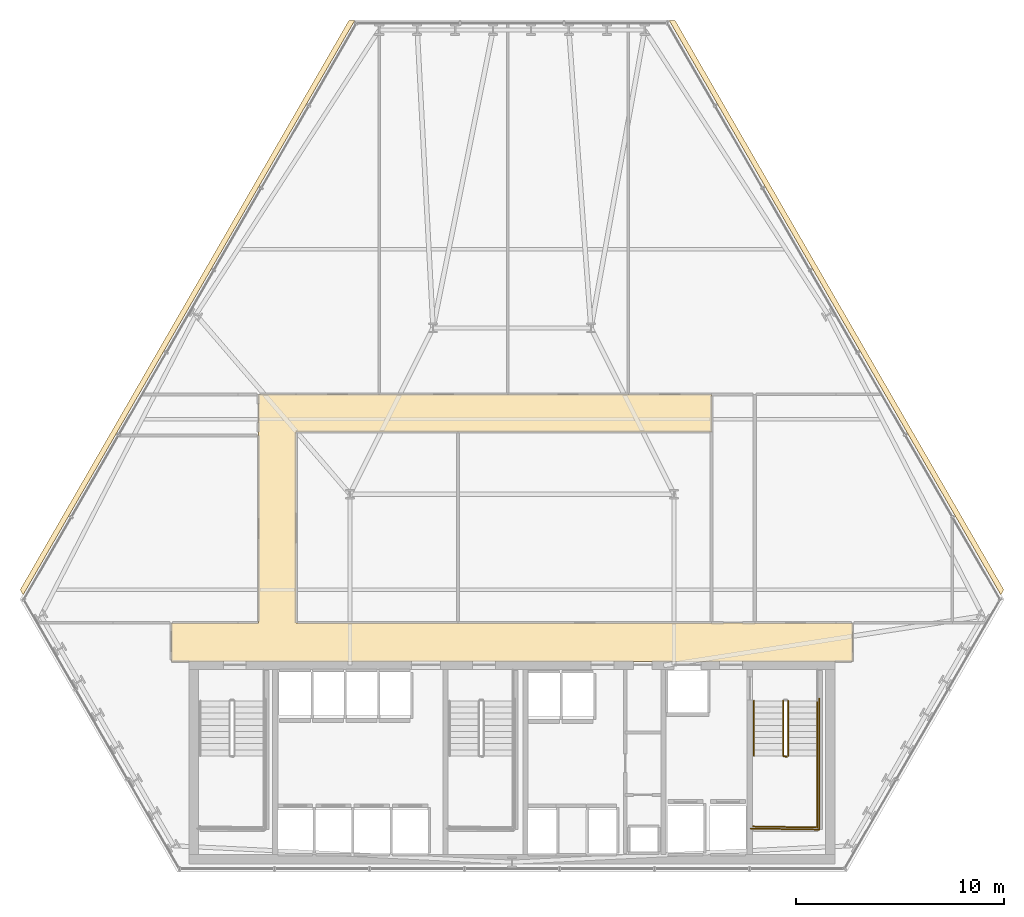
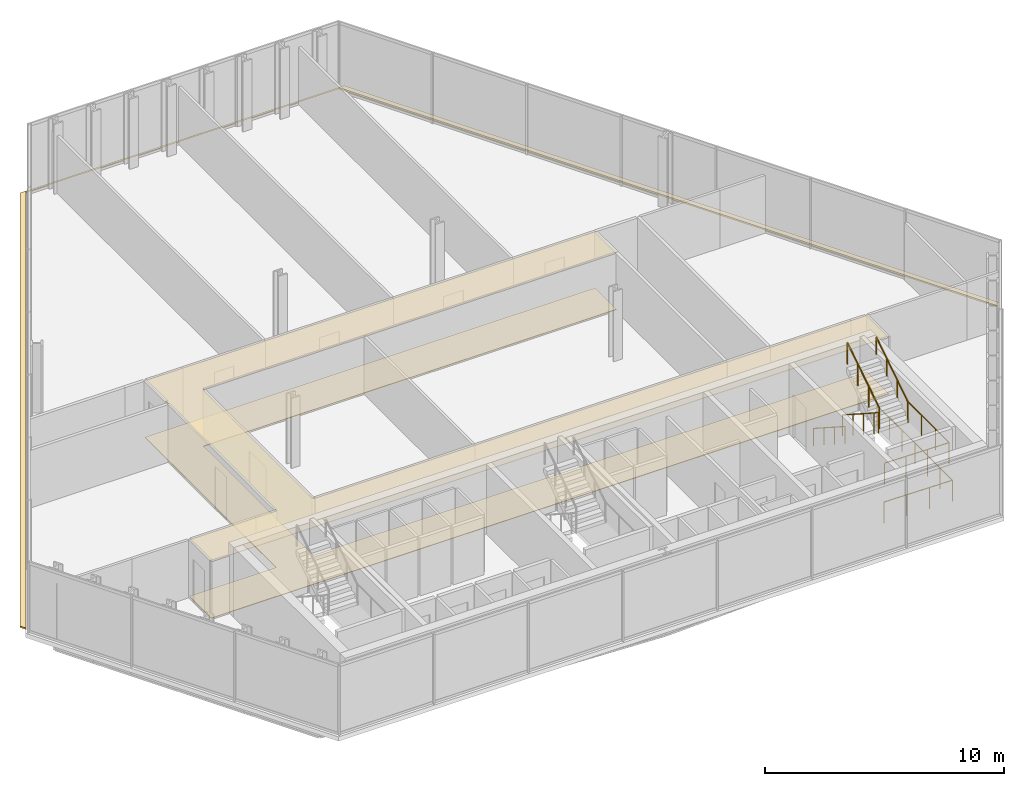
# One storey, part 31 of 32: 6 railings, 3 coverings.
"""IFC4 building model written with IfcOpenShell, lengths in metres."""

import ifcopenshell
import ifcopenshell.guid

model = None  # the IFC model being written
_history = None  # IfcOwnerHistory: only IFC2X3 demands one
_inside = {}  # id of a spatial element -> (the spatial element, [elements in it])
_under = {}  # id of a project, library or spatial element -> (it, [spatial elements below it])
_declared = {}  # id of a project -> (the project, [libraries it declares])
_typed = {}  # id of a type object -> (the type object, [elements of that type])
_made_of = {}  # id of a material, layer set ... -> (it, [elements and type objects made of it])


def new_model(schema):
    """Start an empty IFC model of exactly this schema.

    Asked for "IFC4X3", IfcOpenShell would pick the latest addendum, in which some entities
    have other attributes; the version numbers below select the first issue.
    IFC2X3 requires an IfcOwnerHistory on every rooted entity: one is made here for all.
    """
    global model, _history
    if schema == "IFC4X3":
        model = ifcopenshell.file(schema_version=(4, 3, 0, 0))
    else:
        model = ifcopenshell.file(schema=schema)
    _inside.clear()
    _under.clear()
    _declared.clear()
    _typed.clear()
    _made_of.clear()
    _history = None
    if model.schema == "IFC2X3":
        org = make("IfcOrganization", Name="unknown")
        user = make(
            "IfcPersonAndOrganization",
            ThePerson=make("IfcPerson", FamilyName="unknown"),
            TheOrganization=org,
        )
        app = make(
            "IfcApplication",
            ApplicationDeveloper=org,
            Version="unknown",
            ApplicationFullName="unknown",
            ApplicationIdentifier="unknown",
        )
        _history = make(
            "IfcOwnerHistory",
            OwningUser=user,
            OwningApplication=app,
            ChangeAction="ADDED",
            CreationDate=0,
        )
    return model


def make(cls, **values):
    """One entity of the class cls with the attributes given. An attribute that is None is left unset."""
    return model.create_entity(
        cls, **{name: value for name, value in values.items() if value is not None}
    )


def rooted(cls, **values):
    """An entity with a GlobalId (a new one), such as an element, a storey or a relation."""
    return make(cls, GlobalId=ifcopenshell.guid.new(), OwnerHistory=_history, **values)


def si_unit(unit_type, name, prefix=None):
    """IfcSIUnit, for example si_unit("LENGTHUNIT", "METRE", prefix="MILLI")."""
    return make("IfcSIUnit", UnitType=unit_type, Prefix=prefix, Name=name)


def assignment(units):
    """IfcUnitAssignment: the units of a project."""
    return None if units is None else make("IfcUnitAssignment", Units=units)


def point(xyz):
    """IfcCartesianPoint."""
    return None if xyz is None else make("IfcCartesianPoint", Coordinates=xyz)


def direction(xyz):
    """IfcDirection."""
    return None if xyz is None else make("IfcDirection", DirectionRatios=xyz)


def frame(location, z_axis=None, x_axis=None):
    """IfcAxis2Placement3D, a coordinate frame: its origin and axes. An axis left out is left unset."""
    return make(
        "IfcAxis2Placement3D",
        Location=point(location),
        Axis=direction(z_axis),
        RefDirection=direction(x_axis),
    )


def frame_2d(location, x_axis=None):
    """IfcAxis2Placement2D, a coordinate frame in the plane: its origin and x axis."""
    return make(
        "IfcAxis2Placement2D", Location=point(location), RefDirection=direction(x_axis)
    )


def origin():
    """The frame at (0, 0, 0) with its axes left unset."""
    return frame((0.0, 0.0, 0.0))


def origin_2d():
    """The frame at (0, 0) in the plane with its x axis left unset."""
    return frame_2d((0.0, 0.0))


def place(relative_to, where):
    """IfcLocalPlacement: puts the frame where relative to a parent placement (None: the world)."""
    return make(
        "IfcLocalPlacement", PlacementRelTo=relative_to, RelativePlacement=where
    )


def context(
    kind, dimensions, precision=None, world=None, true_north=None, identifier=None
):
    """IfcGeometricRepresentationContext, for example the 3D "Model" context."""
    return make(
        "IfcGeometricRepresentationContext",
        ContextIdentifier=identifier,
        ContextType=kind,
        CoordinateSpaceDimension=dimensions,
        Precision=precision,
        WorldCoordinateSystem=world,
        TrueNorth=true_north,
    )


def subcontext(parent, identifier, kind, view, scale=None):
    """IfcGeometricRepresentationSubContext, for example "Body" below "Model"."""
    return make(
        "IfcGeometricRepresentationSubContext",
        ContextIdentifier=identifier,
        ContextType=kind,
        ParentContext=parent,
        TargetScale=scale,
        TargetView=view,
    )


def project(units=None, contexts=None):
    """IfcProject with its units and contexts."""
    return rooted(
        "IfcProject",
        Name="project",
        RepresentationContexts=contexts,
        UnitsInContext=assignment(units),
    )


def spatial(cls, under=None, at=None, **own):
    """A site, building, storey or space (cls), placed at a placement, below another one or the project."""
    s = rooted(cls, ObjectPlacement=at, **own)
    if under is not None:
        _under.setdefault(under.id(), (under, []))[1].append(s)
    return s


def polyline(points):
    """IfcPolyline through the points."""
    return make("IfcPolyline", Points=[point(p) for p in points])


def profile(cls, at=None, kind="AREA", **sizes):
    """A parametric profile (cls). Its sizes go by their IFC names, for example OverallWidth=200.0."""
    return make(cls, ProfileType=kind, Position=at, **sizes)


def circle(**sizes):
    """IfcCircleProfileDef."""
    return profile("IfcCircleProfileDef", **sizes)


def outline(outer, holes=None, kind="AREA"):
    """IfcArbitraryClosedProfileDef: a profile drawn as a closed curve; with holes, ...WithVoids."""
    if holes is None:
        return make("IfcArbitraryClosedProfileDef", ProfileType=kind, OuterCurve=outer)
    return make(
        "IfcArbitraryProfileDefWithVoids",
        ProfileType=kind,
        OuterCurve=outer,
        InnerCurves=holes,
    )


def extrude(swept, where, along, depth):
    """IfcExtrudedAreaSolid: the profile swept, set in the frame where, extruded along a direction by depth."""
    return make(
        "IfcExtrudedAreaSolid",
        SweptArea=swept,
        Position=where,
        ExtrudedDirection=direction(along),
        Depth=depth,
    )


def shape(context_of_items, identifier, shape_type, items):
    """IfcShapeRepresentation: the items that make up one representation, for example the "Body"."""
    return make(
        "IfcShapeRepresentation",
        ContextOfItems=context_of_items,
        RepresentationIdentifier=identifier,
        RepresentationType=shape_type,
        Items=items,
    )


def material(Name=None, Category=None):
    """IfcMaterial."""
    return make("IfcMaterial", Name=Name, Category=Category)


def layer(
    of_material, thickness, ventilated=None, Name=None, Category=None, Priority=None
):
    """IfcMaterialLayer: one layer of a wall or slab, of a material (None: an air gap)."""
    return make(
        "IfcMaterialLayer",
        Material=of_material,
        LayerThickness=thickness,
        IsVentilated=ventilated,
        Name=Name,
        Category=Category,
        Priority=Priority,
    )


def layer_set(layers, Name=None):
    """IfcMaterialLayerSet."""
    return make("IfcMaterialLayerSet", MaterialLayers=layers, LayerSetName=Name)


def made_of(thing, what):
    """Note that an element or type object is made of a material, layer set ...; save() writes the relation."""
    if what is not None:
        _made_of.setdefault(what.id(), (what, []))[1].append(thing)
    return thing


def type_object(cls, material=None, **own):
    """A type object (cls), such as IfcWallType, which elements share."""
    return made_of(rooted(cls, **own), material)


def element(
    cls,
    number,
    at=None,
    inside=None,
    cuts=None,
    type_object=None,
    material=None,
    context=None,
    identifier="Body",
    shape_type=None,
    held_by="IfcProductDefinitionShape",
    body=None,
    shapes=None,
    **own,
):
    """One element of the class cls, such as IfcWall. Its Tag is "e" and its number.

    at: its placement. inside: the storey or other place that contains it. cuts: it is an
    opening in that element (IfcRelVoidsElement). A single representation is given by context,
    identifier, shape_type and body (its items); several are given by shapes. held_by: the class
    of the entity that holds the representations. save() writes the other relations.
    """
    e = rooted(cls, Tag="e%d" % number, ObjectPlacement=at, **own)
    if body is not None:
        shapes = [shape(context, identifier, shape_type, body)]
    if shapes is not None:
        e.Representation = make(held_by, Representations=shapes)
    if inside is not None:
        _inside.setdefault(inside.id(), (inside, []))[1].append(e)
    if cuts is not None:
        rooted(
            "IfcRelVoidsElement", RelatingBuildingElement=cuts, RelatedOpeningElement=e
        )
    if type_object is not None:
        _typed.setdefault(type_object.id(), (type_object, []))[1].append(e)
    return made_of(e, material)


def aggregate(whole, parts):
    """IfcRelAggregates: a whole, such as a stair, and the parts it consists of."""
    return rooted("IfcRelAggregates", RelatingObject=whole, RelatedObjects=parts)


def save(model, path):
    """Write the relations noted so far, then the file.

    IfcRelAggregates (storeys below a building ...), IfcRelContainedInSpatialStructure (elements
    in a storey), IfcRelDefinesByType, IfcRelAssociatesMaterial and IfcRelDeclares: one each for
    every whole, place, type object, material and project.
    """
    for whole, parts in _under.values():
        aggregate(whole, parts)
    for where, things in _inside.values():
        rooted(
            "IfcRelContainedInSpatialStructure",
            RelatedElements=things,
            RelatingStructure=where,
        )
    for kind, things in _typed.values():
        rooted("IfcRelDefinesByType", RelatedObjects=things, RelatingType=kind)
    for what, things in _made_of.values():
        rooted("IfcRelAssociatesMaterial", RelatedObjects=things, RelatingMaterial=what)
    for by, libraries in _declared.values():
        rooted("IfcRelDeclares", RelatingContext=by, RelatedDefinitions=libraries)
    model.write(path)


model = new_model("IFC4")

# Units and contexts
model_context = context("Model", 3, precision=1e-05, world=origin(), true_north=direction((0.0, 1.0)))
body_context = subcontext(model_context, "Body", "Model", "MODEL_VIEW")
ifc_project = project(units=[si_unit("LENGTHUNIT", "METRE"), si_unit("AREAUNIT", "SQUARE_METRE"), si_unit("VOLUMEUNIT", "CUBIC_METRE"), si_unit("PLANEANGLEUNIT", "RADIAN"), si_unit("MASSUNIT", "GRAM", prefix="KILO")], contexts=[model_context])

# Site, building, storey
site_placement = place(None, origin())
site = spatial("IfcSite", under=ifc_project, at=site_placement, CompositionType="ELEMENT")
building_placement = place(site_placement, origin())
building = spatial("IfcBuilding", under=site, at=building_placement, Name="Ndaravel Arena Tower", CompositionType="ELEMENT")
storey_placement = place(building_placement, frame((0.0, 0.0, 70.199951171875)))
storey = spatial("IfcBuildingStorey", under=building, at=storey_placement, Name="L15", CompositionType="ELEMENT", Elevation=70.199951171875)

# Coverings
ifc_material_1 = material(Name="Acoustic Ceiling Tile", Category="finish")
ifc_layer_1 = layer(ifc_material_1, 0.02490234375)
ifc_layer_set_1 = layer_set([ifc_layer_1], Name="Acoustic Ceiling Tile")
covering_type_1 = type_object("IfcCoveringType", Name="COV-CEIL-AC600", PredefinedType="CEILING", material=ifc_layer_set_1)
covering_1_placement = place(storey_placement, frame((0.0, 0.0, 2.920166015625)))
element("IfcCovering", 1, at=covering_1_placement, inside=storey, type_object=covering_type_1, Name="L15 Corridor Acoustic Ceiling", PredefinedType="CEILING", context=body_context, shape_type="SweptSolid", body=[
    extrude(outline(polyline([(58.39990234375, 17.0), (31.60009765625, 17.0), (31.60009765625, 26.199951171875), (51.60009765625, 26.199951171875), (51.60009765625, 28.0), (31.60009765625, 28.0), (29.800048828125, 28.0), (29.800048828125, 26.199951171875), (29.800048828125, 17.0), (25.60009765625, 17.0), (25.60009765625, 15.14990234375), (58.39990234375, 15.14990234375), (58.39990234375, 17.0)])), origin(), (0.0, 0.0, 1.0), 0.02490234375),
])
ifc_material_2 = material(Name="Terrazzo", Category="stone")
ifc_layer_2 = layer(ifc_material_2, 0.030029296875)
ifc_layer_set_2 = layer_set([ifc_layer_2], Name="Terrazzo")
covering_type_2 = type_object("IfcCoveringType", Name="COV-FLOOR-TERRAZZO", PredefinedType="FLOORING", material=ifc_layer_set_2)
covering_2_placement = place(storey_placement, origin())
element("IfcCovering", 2, at=covering_2_placement, inside=storey, type_object=covering_type_2, Name="L15 Corridor Terrazzo Flooring", PredefinedType="FLOORING", context=body_context, shape_type="SweptSolid", body=[
    extrude(outline(polyline([(58.39990234375, 17.0), (31.60009765625, 17.0), (31.60009765625, 26.199951171875), (51.60009765625, 26.199951171875), (51.60009765625, 28.0), (31.60009765625, 28.0), (29.800048828125, 28.0), (29.800048828125, 26.199951171875), (29.800048828125, 17.0), (25.60009765625, 17.0), (25.60009765625, 15.14990234375), (58.39990234375, 15.14990234375), (58.39990234375, 17.0)])), origin(), (0.0, 0.0, 1.0), 0.030029296875),
])
ifc_material_3 = material(Name="Roofing Membrane", Category="finish")
ifc_layer_3 = layer(ifc_material_3, 0.080078125)
ifc_layer_set_3 = layer_set([ifc_layer_3], Name="Roofing Membrane")
covering_type_3 = type_object("IfcCoveringType", Name="COV-ROOF-MEMB", PredefinedType="ROOFING", material=ifc_layer_set_3)
covering_3_placement = place(storey_placement, origin())
element("IfcCovering", 3, at=covering_3_placement, inside=storey, type_object=covering_type_3, Name="L15 Facet Setback Weathering Flashing", PredefinedType="ROOFING", context=body_context, shape_type="SweptSolid", body=[
    extrude(outline(polyline([(18.32421875, 18.593994140625), (34.151611328125, 46.0078125), (49.848388671875, 46.0078125), (65.67578125, 18.593994140625), (65.53466796875, 18.349365234375), (49.5673828125, 46.005615234375), (34.4326171875, 46.005615234375), (18.46533203125, 18.349365234375), (18.32421875, 18.593994140625)])), origin(), (0.0, 0.0, 1.0), 0.080078125),
])

# Railings
ifc_material_4 = material(Name="Steel S355", Category="steel")
ifc_layer_4 = layer(ifc_material_4, 0.06005859375)
ifc_layer_set_4 = layer_set([ifc_layer_4], Name="Steel S355")
railing_type_1 = type_object("IfcRailingType", Name="RAIL-STAIR-GD1100", PredefinedType="GUARDRAIL", material=ifc_layer_set_4)
railing_1_placement = place(storey_placement, frame((55.050048828125, 13.25, 0.18994140625)))
element("IfcRailing", 4, at=railing_1_placement, inside=storey, type_object=railing_type_1, Name="L15 ST-3 stair guard 1", PredefinedType="GUARDRAIL", context=body_context, shape_type="SweptSolid", body=[
    extrude(circle(Radius=0.02392578125, at=origin_2d()), frame((0.0, 0.0, 1.076171875), z_axis=(0.0, -0.840688348013, 0.541519253134), x_axis=(1.0, 0.0, 0.0)), (0.0, 0.0, 1.0), 3.158203125),
    extrude(circle(Radius=0.02392578125, at=origin_2d()), frame((0.0, -2.655029296875, 2.7861328125), z_axis=(0.966993988697, -0.254799187253, 0.0), x_axis=(0.254799187253, 0.966993988697, 0.0)), (0.0, 0.0, 1.0), 0.196533203125),
    extrude(circle(Radius=0.02099609375, at=origin_2d()), origin(), (0.0, 0.0, 1.0), 1.052001953125),
    extrude(circle(Radius=0.02099609375, at=origin_2d()), frame((0.0, -0.885009765625, 0.570068359375)), (0.0, 0.0, 1.0), 1.052001953125),
    extrude(circle(Radius=0.02099609375, at=origin_2d()), frame((0.0, -1.77001953125, 1.14013671875)), (0.0, 0.0, 1.0), 1.052001953125),
    extrude(circle(Radius=0.02099609375, at=origin_2d()), frame((0.0, -2.655029296875, 1.710205078125)), (0.0, 0.0, 1.0), 1.052001953125),
    extrude(circle(Radius=0.02099609375, at=origin_2d()), frame((0.18994140625, -2.705078125, 1.710205078125)), (0.0, 0.0, 1.0), 1.052001953125),
])
railing_2_placement = place(storey_placement, frame((56.68994140625, 10.594970703125, 1.900146484375)))
element("IfcRailing", 5, at=railing_2_placement, inside=storey, type_object=railing_type_1, Name="L15 ST-3 stair guard 2", PredefinedType="GUARDRAIL", context=body_context, shape_type="SweptSolid", body=[
    extrude(circle(Radius=0.02392578125, at=origin_2d()), frame((0.0, 0.0, 1.076171875), z_axis=(0.0, -1.0, 0.0), x_axis=(1.0, 0.0, 0.0)), (0.0, 0.0, 1.0), 3.445068359375),
    extrude(circle(Radius=0.02392578125, at=origin_2d()), frame((0.0, -3.445068359375, 1.076171875), z_axis=(-0.999868840623, 0.016195726322, 0.0), x_axis=(-0.016195726322, -0.999868840623, 0.0)), (0.0, 0.0, 1.0), 3.09033203125),
    extrude(circle(Radius=0.02099609375, at=origin_2d()), origin(), (0.0, 0.0, 1.0), 1.052001953125),
    extrude(circle(Radius=0.02099609375, at=origin_2d()), frame((0.0, -1.1484375, 0.0)), (0.0, 0.0, 1.0), 1.052001953125),
    extrude(circle(Radius=0.02099609375, at=origin_2d()), frame((0.0, -2.296630859375, 0.0)), (0.0, 0.0, 1.0), 1.052001953125),
    extrude(circle(Radius=0.02099609375, at=origin_2d()), frame((0.0, -3.445068359375, 0.0)), (0.0, 0.0, 1.0), 1.052001953125),
    extrude(circle(Radius=0.02099609375, at=origin_2d()), frame((-1.030029296875, -3.428466796875, 0.0)), (0.0, 0.0, 1.0), 1.052001953125),
    extrude(circle(Radius=0.02099609375, at=origin_2d()), frame((-2.059814453125, -3.41162109375, 0.0)), (0.0, 0.0, 1.0), 1.052001953125),
    extrude(circle(Radius=0.02099609375, at=origin_2d()), frame((-3.08984375, -3.39501953125, 0.0)), (0.0, 0.0, 1.0), 1.052001953125),
])
railing_3_placement = place(storey_placement, frame((55.2900390625, 10.594970703125, 2.090087890625)))
element("IfcRailing", 6, at=railing_3_placement, inside=storey, type_object=railing_type_1, Name="L15 ST-3 stair guard 3", PredefinedType="GUARDRAIL", context=body_context, shape_type="SweptSolid", body=[
    extrude(circle(Radius=0.02392578125, at=origin_2d()), frame((0.0, 0.0, 1.076171875), z_axis=(0.0, 0.840723540582, 0.54146461409), x_axis=(-1.0, 0.0, 0.0)), (0.0, 0.0, 1.0), 3.157958984375),
    extrude(circle(Radius=0.02099609375, at=origin_2d()), origin(), (0.0, 0.0, 1.0), 1.052001953125),
    extrude(circle(Radius=0.02099609375, at=origin_2d()), frame((0.0, 0.885009765625, 0.570068359375)), (0.0, 0.0, 1.0), 1.052001953125),
    extrude(circle(Radius=0.02099609375, at=origin_2d()), frame((0.0, 1.77001953125, 1.139892578125)), (0.0, 0.0, 1.0), 1.052001953125),
    extrude(circle(Radius=0.02099609375, at=origin_2d()), frame((0.0, 2.655029296875, 1.7099609375)), (0.0, 0.0, 1.0), 1.052001953125),
])
railing_4_placement = place(storey_placement, frame((56.7900390625, 13.35009765625, 0.0)))
element("IfcRailing", 7, at=railing_4_placement, inside=storey, type_object=railing_type_1, Name="L15 ST-3 stair guard 6", PredefinedType="GUARDRAIL", context=body_context, shape_type="SweptSolid", body=[
    extrude(circle(Radius=0.02392578125, at=origin_2d()), frame((0.0, 0.0, 1.076171875), z_axis=(0.0, -1.0, 0.0), x_axis=(1.0, 0.0, 0.0)), (0.0, 0.0, 1.0), 6.300048828125),
    extrude(circle(Radius=0.02392578125, at=origin_2d()), frame((0.0, -6.300048828125, 1.076171875), z_axis=(-0.99988431412, 0.015210469308, 0.0), x_axis=(-0.015210469308, -0.99988431412, 0.0)), (0.0, 0.0, 1.0), 3.29052734375),
    extrude(circle(Radius=0.02099609375, at=origin_2d()), origin(), (0.0, 0.0, 1.0), 1.052001953125),
    extrude(circle(Radius=0.02099609375, at=origin_2d()), frame((0.0, -1.050048828125, 0.0)), (0.0, 0.0, 1.0), 1.052001953125),
    extrude(circle(Radius=0.02099609375, at=origin_2d()), frame((0.0, -2.10009765625, 0.0)), (0.0, 0.0, 1.0), 1.052001953125),
    extrude(circle(Radius=0.02099609375, at=origin_2d()), frame((0.0, -3.14990234375, 0.0)), (0.0, 0.0, 1.0), 1.052001953125),
    extrude(circle(Radius=0.02099609375, at=origin_2d()), frame((0.0, -4.199951171875, 0.0)), (0.0, 0.0, 1.0), 1.052001953125),
    extrude(circle(Radius=0.02099609375, at=origin_2d()), frame((0.0, -5.25, 0.0)), (0.0, 0.0, 1.0), 1.052001953125),
    extrude(circle(Radius=0.02099609375, at=origin_2d()), frame((0.0, -6.300048828125, 0.0)), (0.0, 0.0, 1.0), 1.052001953125),
    extrude(circle(Radius=0.02099609375, at=origin_2d()), frame((-1.0966796875, -6.283447265625, 0.0)), (0.0, 0.0, 1.0), 1.052001953125),
    extrude(circle(Radius=0.02099609375, at=origin_2d()), frame((-2.193359375, -6.2666015625, 0.0)), (0.0, 0.0, 1.0), 1.052001953125),
    extrude(circle(Radius=0.02099609375, at=origin_2d()), frame((-3.2900390625, -6.25, 0.0)), (0.0, 0.0, 1.0), 1.052001953125),
])
ifc_material_5 = material(Name="Steel S355", Category="steel")
ifc_layer_5 = layer(ifc_material_5, 0.050048828125)
ifc_layer_set_5 = layer_set([ifc_layer_5], Name="Steel S355")
railing_type_2 = type_object("IfcRailingType", Name="RAIL-STAIR-HR920", PredefinedType="HANDRAIL", material=ifc_layer_set_5)
railing_5_placement = place(storey_placement, frame((53.64990234375, 13.25, 0.18994140625)))
element("IfcRailing", 8, at=railing_5_placement, inside=storey, type_object=railing_type_2, Name="L15 ST-3 stair handrail 1", PredefinedType="HANDRAIL", context=body_context, shape_type="SweptSolid", body=[
    extrude(circle(Radius=0.02392578125, at=origin_2d()), frame((0.0, 0.0, 0.8759765625), z_axis=(0.0, -0.840688348013, 0.541519253134), x_axis=(1.0, 0.0, 0.0)), (0.0, 0.0, 1.0), 3.158203125),
    extrude(circle(Radius=0.02099609375, at=origin_2d()), origin(), (0.0, 0.0, 1.0), 0.851806640625),
    extrude(circle(Radius=0.02099609375, at=origin_2d()), frame((0.0, -0.885009765625, 0.570068359375)), (0.0, 0.0, 1.0), 0.851806640625),
    extrude(circle(Radius=0.02099609375, at=origin_2d()), frame((0.0, -1.77001953125, 1.14013671875)), (0.0, 0.0, 1.0), 0.851806640625),
    extrude(circle(Radius=0.02099609375, at=origin_2d()), frame((0.0, -2.655029296875, 1.710205078125)), (0.0, 0.0, 1.0), 0.851806640625),
])
railing_6_placement = place(storey_placement, frame((56.68994140625, 10.594970703125, 2.090087890625)))
element("IfcRailing", 9, at=railing_6_placement, inside=storey, type_object=railing_type_2, Name="L15 ST-3 stair handrail 2", PredefinedType="HANDRAIL", context=body_context, shape_type="SweptSolid", body=[
    extrude(circle(Radius=0.02392578125, at=origin_2d()), frame((0.0, 0.0, 0.8759765625), z_axis=(0.0, 0.840723540582, 0.54146461409), x_axis=(-1.0, 0.0, 0.0)), (0.0, 0.0, 1.0), 3.157958984375),
    extrude(circle(Radius=0.02099609375, at=origin_2d()), origin(), (0.0, 0.0, 1.0), 0.851806640625),
    extrude(circle(Radius=0.02099609375, at=origin_2d()), frame((0.0, 0.885009765625, 0.570068359375)), (0.0, 0.0, 1.0), 0.851806640625),
    extrude(circle(Radius=0.02099609375, at=origin_2d()), frame((0.0, 1.77001953125, 1.139892578125)), (0.0, 0.0, 1.0), 0.851806640625),
    extrude(circle(Radius=0.02099609375, at=origin_2d()), frame((0.0, 2.655029296875, 1.7099609375)), (0.0, 0.0, 1.0), 0.851806640625),
])

save(model, "model.ifc")
